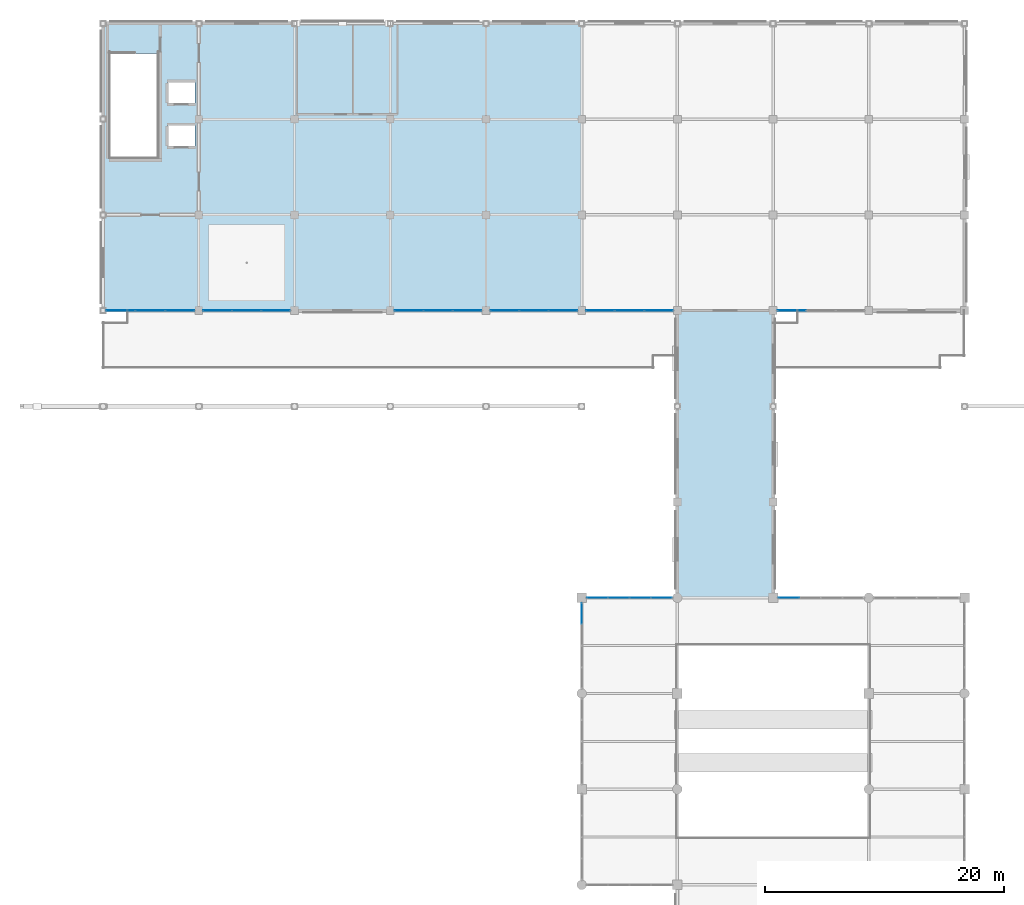
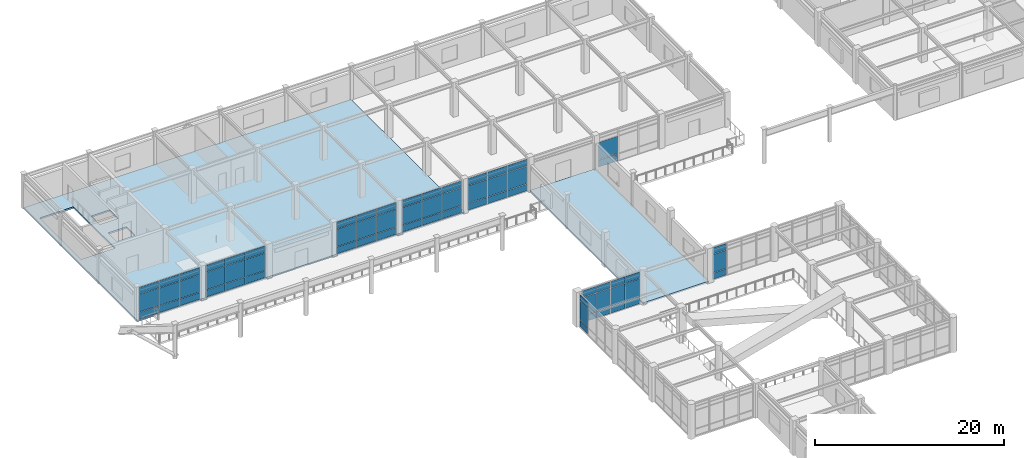
# One storey, part 57 of 78: 65 plates, 2 slabs, 9 elements without a shape of their own.
"""IFC4 building model written with IfcOpenShell, lengths in metres."""

import ifcopenshell
import ifcopenshell.guid

model = None  # the IFC model being written
_history = None  # IfcOwnerHistory: only IFC2X3 demands one
_inside = {}  # id of a spatial element -> (the spatial element, [elements in it])
_under = {}  # id of a project, library or spatial element -> (it, [spatial elements below it])
_declared = {}  # id of a project -> (the project, [libraries it declares])
_typed = {}  # id of a type object -> (the type object, [elements of that type])
_made_of = {}  # id of a material, layer set ... -> (it, [elements and type objects made of it])


def new_model(schema):
    """Start an empty IFC model of exactly this schema.

    Asked for "IFC4X3", IfcOpenShell would pick the latest addendum, in which some entities
    have other attributes; the version numbers below select the first issue.
    IFC2X3 requires an IfcOwnerHistory on every rooted entity: one is made here for all.
    """
    global model, _history
    if schema == "IFC4X3":
        model = ifcopenshell.file(schema_version=(4, 3, 0, 0))
    else:
        model = ifcopenshell.file(schema=schema)
    _inside.clear()
    _under.clear()
    _declared.clear()
    _typed.clear()
    _made_of.clear()
    _history = None
    if model.schema == "IFC2X3":
        org = make("IfcOrganization", Name="unknown")
        user = make(
            "IfcPersonAndOrganization",
            ThePerson=make("IfcPerson", FamilyName="unknown"),
            TheOrganization=org,
        )
        app = make(
            "IfcApplication",
            ApplicationDeveloper=org,
            Version="unknown",
            ApplicationFullName="unknown",
            ApplicationIdentifier="unknown",
        )
        _history = make(
            "IfcOwnerHistory",
            OwningUser=user,
            OwningApplication=app,
            ChangeAction="ADDED",
            CreationDate=0,
        )
    return model


def make(cls, **values):
    """One entity of the class cls with the attributes given. An attribute that is None is left unset."""
    return model.create_entity(
        cls, **{name: value for name, value in values.items() if value is not None}
    )


def rooted(cls, **values):
    """An entity with a GlobalId (a new one), such as an element, a storey or a relation."""
    return make(cls, GlobalId=ifcopenshell.guid.new(), OwnerHistory=_history, **values)


def si_unit(unit_type, name, prefix=None):
    """IfcSIUnit, for example si_unit("LENGTHUNIT", "METRE", prefix="MILLI")."""
    return make("IfcSIUnit", UnitType=unit_type, Prefix=prefix, Name=name)


def assignment(units):
    """IfcUnitAssignment: the units of a project."""
    return None if units is None else make("IfcUnitAssignment", Units=units)


def point(xyz):
    """IfcCartesianPoint."""
    return None if xyz is None else make("IfcCartesianPoint", Coordinates=xyz)


def direction(xyz):
    """IfcDirection."""
    return None if xyz is None else make("IfcDirection", DirectionRatios=xyz)


def frame(location, z_axis=None, x_axis=None):
    """IfcAxis2Placement3D, a coordinate frame: its origin and axes. An axis left out is left unset."""
    return make(
        "IfcAxis2Placement3D",
        Location=point(location),
        Axis=direction(z_axis),
        RefDirection=direction(x_axis),
    )


def frame_2d(location, x_axis=None):
    """IfcAxis2Placement2D, a coordinate frame in the plane: its origin and x axis."""
    return make(
        "IfcAxis2Placement2D", Location=point(location), RefDirection=direction(x_axis)
    )


def origin():
    """The frame at (0, 0, 0) with its axes left unset."""
    return frame((0.0, 0.0, 0.0))


def origin_2d():
    """The frame at (0, 0) in the plane with its x axis left unset."""
    return frame_2d((0.0, 0.0))


def place(relative_to, where):
    """IfcLocalPlacement: puts the frame where relative to a parent placement (None: the world)."""
    return make(
        "IfcLocalPlacement", PlacementRelTo=relative_to, RelativePlacement=where
    )


def context(
    kind, dimensions, precision=None, world=None, true_north=None, identifier=None
):
    """IfcGeometricRepresentationContext, for example the 3D "Model" context."""
    return make(
        "IfcGeometricRepresentationContext",
        ContextIdentifier=identifier,
        ContextType=kind,
        CoordinateSpaceDimension=dimensions,
        Precision=precision,
        WorldCoordinateSystem=world,
        TrueNorth=true_north,
    )


def subcontext(parent, identifier, kind, view, scale=None):
    """IfcGeometricRepresentationSubContext, for example "Body" below "Model"."""
    return make(
        "IfcGeometricRepresentationSubContext",
        ContextIdentifier=identifier,
        ContextType=kind,
        ParentContext=parent,
        TargetScale=scale,
        TargetView=view,
    )


def project(units=None, contexts=None):
    """IfcProject with its units and contexts."""
    return rooted(
        "IfcProject",
        Name="project",
        RepresentationContexts=contexts,
        UnitsInContext=assignment(units),
    )


def spatial(cls, under=None, at=None, **own):
    """A site, building, storey or space (cls), placed at a placement, below another one or the project."""
    s = rooted(cls, ObjectPlacement=at, **own)
    if under is not None:
        _under.setdefault(under.id(), (under, []))[1].append(s)
    return s


def polyline(points):
    """IfcPolyline through the points."""
    return make("IfcPolyline", Points=[point(p) for p in points])


def profile(cls, at=None, kind="AREA", **sizes):
    """A parametric profile (cls). Its sizes go by their IFC names, for example OverallWidth=200.0."""
    return make(cls, ProfileType=kind, Position=at, **sizes)


def rectangle(**sizes):
    """IfcRectangleProfileDef."""
    return profile("IfcRectangleProfileDef", **sizes)


def outline(outer, holes=None, kind="AREA"):
    """IfcArbitraryClosedProfileDef: a profile drawn as a closed curve; with holes, ...WithVoids."""
    if holes is None:
        return make("IfcArbitraryClosedProfileDef", ProfileType=kind, OuterCurve=outer)
    return make(
        "IfcArbitraryProfileDefWithVoids",
        ProfileType=kind,
        OuterCurve=outer,
        InnerCurves=holes,
    )


def extrude(swept, where, along, depth):
    """IfcExtrudedAreaSolid: the profile swept, set in the frame where, extruded along a direction by depth."""
    return make(
        "IfcExtrudedAreaSolid",
        SweptArea=swept,
        Position=where,
        ExtrudedDirection=direction(along),
        Depth=depth,
    )


def shape(context_of_items, identifier, shape_type, items):
    """IfcShapeRepresentation: the items that make up one representation, for example the "Body"."""
    return make(
        "IfcShapeRepresentation",
        ContextOfItems=context_of_items,
        RepresentationIdentifier=identifier,
        RepresentationType=shape_type,
        Items=items,
    )


def material(Name=None, Category=None):
    """IfcMaterial."""
    return make("IfcMaterial", Name=Name, Category=Category)


def layer(
    of_material, thickness, ventilated=None, Name=None, Category=None, Priority=None
):
    """IfcMaterialLayer: one layer of a wall or slab, of a material (None: an air gap)."""
    return make(
        "IfcMaterialLayer",
        Material=of_material,
        LayerThickness=thickness,
        IsVentilated=ventilated,
        Name=Name,
        Category=Category,
        Priority=Priority,
    )


def layer_set(layers, Name=None):
    """IfcMaterialLayerSet."""
    return make("IfcMaterialLayerSet", MaterialLayers=layers, LayerSetName=Name)


def made_of(thing, what):
    """Note that an element or type object is made of a material, layer set ...; save() writes the relation."""
    if what is not None:
        _made_of.setdefault(what.id(), (what, []))[1].append(thing)
    return thing


def type_object(cls, material=None, **own):
    """A type object (cls), such as IfcWallType, which elements share."""
    return made_of(rooted(cls, **own), material)


def element(
    cls,
    number,
    at=None,
    inside=None,
    cuts=None,
    type_object=None,
    material=None,
    context=None,
    identifier="Body",
    shape_type=None,
    held_by="IfcProductDefinitionShape",
    body=None,
    shapes=None,
    **own,
):
    """One element of the class cls, such as IfcWall. Its Tag is "e" and its number.

    at: its placement. inside: the storey or other place that contains it. cuts: it is an
    opening in that element (IfcRelVoidsElement). A single representation is given by context,
    identifier, shape_type and body (its items); several are given by shapes. held_by: the class
    of the entity that holds the representations. save() writes the other relations.
    """
    e = rooted(cls, Tag="e%d" % number, ObjectPlacement=at, **own)
    if body is not None:
        shapes = [shape(context, identifier, shape_type, body)]
    if shapes is not None:
        e.Representation = make(held_by, Representations=shapes)
    if inside is not None:
        _inside.setdefault(inside.id(), (inside, []))[1].append(e)
    if cuts is not None:
        rooted(
            "IfcRelVoidsElement", RelatingBuildingElement=cuts, RelatedOpeningElement=e
        )
    if type_object is not None:
        _typed.setdefault(type_object.id(), (type_object, []))[1].append(e)
    return made_of(e, material)


def aggregate(whole, parts):
    """IfcRelAggregates: a whole, such as a stair, and the parts it consists of."""
    return rooted("IfcRelAggregates", RelatingObject=whole, RelatedObjects=parts)


def save(model, path):
    """Write the relations noted so far, then the file.

    IfcRelAggregates (storeys below a building ...), IfcRelContainedInSpatialStructure (elements
    in a storey), IfcRelDefinesByType, IfcRelAssociatesMaterial and IfcRelDeclares: one each for
    every whole, place, type object, material and project.
    """
    for whole, parts in _under.values():
        aggregate(whole, parts)
    for where, things in _inside.values():
        rooted(
            "IfcRelContainedInSpatialStructure",
            RelatedElements=things,
            RelatingStructure=where,
        )
    for kind, things in _typed.values():
        rooted("IfcRelDefinesByType", RelatedObjects=things, RelatingType=kind)
    for what, things in _made_of.values():
        rooted("IfcRelAssociatesMaterial", RelatedObjects=things, RelatingMaterial=what)
    for by, libraries in _declared.values():
        rooted("IfcRelDeclares", RelatingContext=by, RelatedDefinitions=libraries)
    model.write(path)


model = new_model("IFC4")

# Units and contexts
model_context = context("Model", 3, precision=1e-05, world=origin(), true_north=direction((0.0, 1.0)))
body_context = subcontext(model_context, "Body", "Model", "MODEL_VIEW")
ifc_project = project(units=[si_unit("LENGTHUNIT", "METRE"), si_unit("AREAUNIT", "SQUARE_METRE"), si_unit("VOLUMEUNIT", "CUBIC_METRE"), si_unit("PLANEANGLEUNIT", "RADIAN"), si_unit("MASSUNIT", "GRAM", prefix="KILO")], contexts=[model_context])

# Site, building, storey
site_placement = place(None, origin())
site = spatial("IfcSite", under=ifc_project, at=site_placement, CompositionType="ELEMENT")
building_placement = place(site_placement, origin())
building = spatial("IfcBuilding", under=site, at=building_placement, Name="Solmirada Galleria", CompositionType="ELEMENT")
storey_placement = place(building_placement, frame((0.0, 0.0, 23.89990234375)))
storey = spatial("IfcBuildingStorey", under=building, at=storey_placement, Name="L05", CompositionType="ELEMENT", Elevation=23.89990234375)

# Curtain wall, plates
ifc_material_1 = material(Name="Impact-resistant low-E double glazing", Category="glass")
curtain_wall_type_1 = type_object("IfcCurtainWallType", Name="CW-FZ3-L05-B4-L072", PredefinedType="NOTDEFINED", material=ifc_material_1)
curtain_wall_1_placement = place(storey_placement, origin())
curtain_wall_1 = element("IfcCurtainWall", 1, at=curtain_wall_1_placement, inside=storey, type_object=curtain_wall_type_1, Name="Terrace and arcade storefront CW-L05-166", PredefinedType="NOTDEFINED")
ifc_layer_1 = layer(ifc_material_1, 0.028076171875)
ifc_layer_set_1 = layer_set([ifc_layer_1], Name="Impact-resistant low-E double glazing")
plate_type_1 = type_object("IfcPlateType", Name="CW-PNL-CW33-T28", PredefinedType="CURTAIN_PANEL", material=ifc_layer_set_1)
plate_1_placement = place(storey_placement, frame((80.0, 70.68359375, 0.06005859375), z_axis=(0.0, 0.0, 1.0), x_axis=(0.0, 1.0, 0.0)))
plate_1 = element("IfcPlate", 2, at=plate_1_placement, type_object=plate_type_1, Name="CW33 panel 4.1", PredefinedType="CURTAIN_PANEL", context=body_context, shape_type="SweptSolid", body=[
    extrude(rectangle(XDim=1.708984375, YDim=0.028076171875, at=origin_2d()), origin(), (0.0, 0.0, 1.0), 0.81005859375),
])
plate_2_placement = place(storey_placement, frame((80.0, 70.68359375, 0.929931640625), z_axis=(0.0, 0.0, 1.0), x_axis=(0.0, 1.0, 0.0)))
plate_2 = element("IfcPlate", 3, at=plate_2_placement, type_object=plate_type_1, Name="CW33 panel 4.2", PredefinedType="CURTAIN_PANEL", context=body_context, shape_type="SweptSolid", body=[
    extrude(rectangle(XDim=1.708984375, YDim=0.028076171875, at=origin_2d()), origin(), (0.0, 0.0, 1.0), 2.35009765625),
])
plate_3_placement = place(storey_placement, frame((80.0, 70.68359375, 3.33984375), z_axis=(0.0, 0.0, 1.0), x_axis=(0.0, 1.0, 0.0)))
plate_3 = element("IfcPlate", 4, at=plate_3_placement, type_object=plate_type_1, Name="CW33 panel 4.3", PredefinedType="CURTAIN_PANEL", context=body_context, shape_type="SweptSolid", body=[
    extrude(rectangle(XDim=1.708984375, YDim=0.028076171875, at=origin_2d()), origin(), (0.0, 0.0, 1.0), 0.820068359375),
])
aggregate(curtain_wall_1, [plate_1, plate_2, plate_3])

curtain_wall_2_placement = place(storey_placement, origin())
curtain_wall_2 = element("IfcCurtainWall", 5, at=curtain_wall_2_placement, inside=storey, type_object=curtain_wall_type_1, Name="Terrace and arcade storefront CW-L05-167", PredefinedType="NOTDEFINED")
plate_4_placement = place(storey_placement, frame((81.31640625, 72.0, 0.06005859375), z_axis=(0.0, 0.0, 1.0), x_axis=(1.0, 0.0, 0.0)))
plate_4 = element("IfcPlate", 6, at=plate_4_placement, type_object=plate_type_1, Name="CW33 panel 1.1", PredefinedType="CURTAIN_PANEL", context=body_context, shape_type="SweptSolid", body=[
    extrude(rectangle(XDim=1.708984375, YDim=0.028076171875, at=origin_2d()), origin(), (0.0, 0.0, 1.0), 0.81005859375),
])
plate_5_placement = place(storey_placement, frame((81.31640625, 72.0, 0.929931640625), z_axis=(0.0, 0.0, 1.0), x_axis=(1.0, 0.0, 0.0)))
plate_5 = element("IfcPlate", 7, at=plate_5_placement, type_object=plate_type_1, Name="CW33 panel 1.2", PredefinedType="CURTAIN_PANEL", context=body_context, shape_type="SweptSolid", body=[
    extrude(rectangle(XDim=1.708984375, YDim=0.028076171875, at=origin_2d()), origin(), (0.0, 0.0, 1.0), 2.35009765625),
])
plate_6_placement = place(storey_placement, frame((81.31640625, 72.0, 3.33984375), z_axis=(0.0, 0.0, 1.0), x_axis=(1.0, 0.0, 0.0)))
plate_6 = element("IfcPlate", 8, at=plate_6_placement, type_object=plate_type_1, Name="CW33 panel 1.3", PredefinedType="CURTAIN_PANEL", context=body_context, shape_type="SweptSolid", body=[
    extrude(rectangle(XDim=1.708984375, YDim=0.028076171875, at=origin_2d()), origin(), (0.0, 0.0, 1.0), 0.820068359375),
])
plate_7_placement = place(storey_placement, frame((83.1005859375, 72.0, 0.06005859375), z_axis=(0.0, 0.0, 1.0), x_axis=(1.0, 0.0, 0.0)))
plate_7 = element("IfcPlate", 9, at=plate_7_placement, type_object=plate_type_1, Name="CW33 panel 2.1", PredefinedType="CURTAIN_PANEL", context=body_context, shape_type="SweptSolid", body=[
    extrude(rectangle(XDim=1.739013671875, YDim=0.028076171875, at=origin_2d()), origin(), (0.0, 0.0, 1.0), 0.81005859375),
])
plate_8_placement = place(storey_placement, frame((83.1005859375, 72.0, 0.929931640625), z_axis=(0.0, 0.0, 1.0), x_axis=(1.0, 0.0, 0.0)))
plate_8 = element("IfcPlate", 10, at=plate_8_placement, type_object=plate_type_1, Name="CW33 panel 2.2", PredefinedType="CURTAIN_PANEL", context=body_context, shape_type="SweptSolid", body=[
    extrude(rectangle(XDim=1.739013671875, YDim=0.028076171875, at=origin_2d()), origin(), (0.0, 0.0, 1.0), 2.35009765625),
])
plate_9_placement = place(storey_placement, frame((83.1005859375, 72.0, 3.33984375), z_axis=(0.0, 0.0, 1.0), x_axis=(1.0, 0.0, 0.0)))
plate_9 = element("IfcPlate", 11, at=plate_9_placement, type_object=plate_type_1, Name="CW33 panel 2.3", PredefinedType="CURTAIN_PANEL", context=body_context, shape_type="SweptSolid", body=[
    extrude(rectangle(XDim=1.739013671875, YDim=0.028076171875, at=origin_2d()), origin(), (0.0, 0.0, 1.0), 0.820068359375),
])
plate_10_placement = place(storey_placement, frame((84.8994140625, 72.0, 0.06005859375), z_axis=(0.0, 0.0, 1.0), x_axis=(1.0, 0.0, 0.0)))
plate_10 = element("IfcPlate", 12, at=plate_10_placement, type_object=plate_type_1, Name="CW33 panel 3.1", PredefinedType="CURTAIN_PANEL", context=body_context, shape_type="SweptSolid", body=[
    extrude(rectangle(XDim=1.739013671875, YDim=0.028076171875, at=origin_2d()), origin(), (0.0, 0.0, 1.0), 0.81005859375),
])
plate_11_placement = place(storey_placement, frame((84.8994140625, 72.0, 0.929931640625), z_axis=(0.0, 0.0, 1.0), x_axis=(1.0, 0.0, 0.0)))
plate_11 = element("IfcPlate", 13, at=plate_11_placement, type_object=plate_type_1, Name="CW33 panel 3.2", PredefinedType="CURTAIN_PANEL", context=body_context, shape_type="SweptSolid", body=[
    extrude(rectangle(XDim=1.739013671875, YDim=0.028076171875, at=origin_2d()), origin(), (0.0, 0.0, 1.0), 2.35009765625),
])
plate_12_placement = place(storey_placement, frame((84.8994140625, 72.0, 3.33984375), z_axis=(0.0, 0.0, 1.0), x_axis=(1.0, 0.0, 0.0)))
plate_12 = element("IfcPlate", 14, at=plate_12_placement, type_object=plate_type_1, Name="CW33 panel 3.3", PredefinedType="CURTAIN_PANEL", context=body_context, shape_type="SweptSolid", body=[
    extrude(rectangle(XDim=1.739013671875, YDim=0.028076171875, at=origin_2d()), origin(), (0.0, 0.0, 1.0), 0.820068359375),
])
plate_13_placement = place(storey_placement, frame((86.68359375, 72.0, 0.06005859375), z_axis=(0.0, 0.0, 1.0), x_axis=(1.0, 0.0, 0.0)))
plate_13 = element("IfcPlate", 15, at=plate_13_placement, type_object=plate_type_1, Name="CW33 panel 4.1", PredefinedType="CURTAIN_PANEL", context=body_context, shape_type="SweptSolid", body=[
    extrude(rectangle(XDim=1.708984375, YDim=0.028076171875, at=origin_2d()), origin(), (0.0, 0.0, 1.0), 0.81005859375),
])
plate_14_placement = place(storey_placement, frame((86.68359375, 72.0, 0.929931640625), z_axis=(0.0, 0.0, 1.0), x_axis=(1.0, 0.0, 0.0)))
plate_14 = element("IfcPlate", 16, at=plate_14_placement, type_object=plate_type_1, Name="CW33 panel 4.2", PredefinedType="CURTAIN_PANEL", context=body_context, shape_type="SweptSolid", body=[
    extrude(rectangle(XDim=1.708984375, YDim=0.028076171875, at=origin_2d()), origin(), (0.0, 0.0, 1.0), 2.35009765625),
])
plate_15_placement = place(storey_placement, frame((86.68359375, 72.0, 3.33984375), z_axis=(0.0, 0.0, 1.0), x_axis=(1.0, 0.0, 0.0)))
plate_15 = element("IfcPlate", 17, at=plate_15_placement, type_object=plate_type_1, Name="CW33 panel 4.3", PredefinedType="CURTAIN_PANEL", context=body_context, shape_type="SweptSolid", body=[
    extrude(rectangle(XDim=1.708984375, YDim=0.028076171875, at=origin_2d()), origin(), (0.0, 0.0, 1.0), 0.820068359375),
])
aggregate(curtain_wall_2, [plate_4, plate_5, plate_6, plate_7, plate_8, plate_9, plate_10, plate_11, plate_12, plate_13, plate_14, plate_15])

curtain_wall_3_placement = place(storey_placement, origin())
curtain_wall_3 = element("IfcCurtainWall", 18, at=curtain_wall_3_placement, inside=storey, type_object=curtain_wall_type_1, Name="Terrace and arcade storefront CW-L05-174", PredefinedType="NOTDEFINED")
plate_16_placement = place(storey_placement, frame((97.31640625, 72.0, 0.06005859375), z_axis=(0.0, 0.0, 1.0), x_axis=(1.0, 0.0, 0.0)))
plate_16 = element("IfcPlate", 19, at=plate_16_placement, type_object=plate_type_1, Name="CW33 panel 1.1", PredefinedType="CURTAIN_PANEL", context=body_context, shape_type="SweptSolid", body=[
    extrude(rectangle(XDim=1.708984375, YDim=0.028076171875, at=origin_2d()), origin(), (0.0, 0.0, 1.0), 0.81005859375),
])
plate_17_placement = place(storey_placement, frame((97.31640625, 72.0, 0.929931640625), z_axis=(0.0, 0.0, 1.0), x_axis=(1.0, 0.0, 0.0)))
plate_17 = element("IfcPlate", 20, at=plate_17_placement, type_object=plate_type_1, Name="CW33 panel 1.2", PredefinedType="CURTAIN_PANEL", context=body_context, shape_type="SweptSolid", body=[
    extrude(rectangle(XDim=1.708984375, YDim=0.028076171875, at=origin_2d()), origin(), (0.0, 0.0, 1.0), 2.35009765625),
])
plate_18_placement = place(storey_placement, frame((97.31640625, 72.0, 3.33984375), z_axis=(0.0, 0.0, 1.0), x_axis=(1.0, 0.0, 0.0)))
plate_18 = element("IfcPlate", 21, at=plate_18_placement, type_object=plate_type_1, Name="CW33 panel 1.3", PredefinedType="CURTAIN_PANEL", context=body_context, shape_type="SweptSolid", body=[
    extrude(rectangle(XDim=1.708984375, YDim=0.028076171875, at=origin_2d()), origin(), (0.0, 0.0, 1.0), 0.820068359375),
])
aggregate(curtain_wall_3, [plate_16, plate_17, plate_18])

curtain_wall_type_2 = type_object("IfcCurtainWallType", Name="CW-FZ4-L05-B3-L074", PredefinedType="NOTDEFINED", material=ifc_material_1)
curtain_wall_4_placement = place(storey_placement, origin())
curtain_wall_4 = element("IfcCurtainWall", 22, at=curtain_wall_4_placement, inside=storey, type_object=curtain_wall_type_2, Name="Terrace and arcade storefront CW-L05-168", PredefinedType="NOTDEFINED")
ifc_layer_2 = layer(ifc_material_1, 0.028076171875)
ifc_layer_set_2 = layer_set([ifc_layer_2], Name="Impact-resistant low-E double glazing")
plate_type_2 = type_object("IfcPlateType", Name="CW-PNL-CW34-T28", PredefinedType="CURTAIN_PANEL", material=ifc_layer_set_2)
plate_19_placement = place(storey_placement, frame((86.43359375, 96.0, 0.06005859375), z_axis=(0.0, 0.0, 1.0), x_axis=(-1.0, 0.0, 0.0)))
plate_19 = element("IfcPlate", 23, at=plate_19_placement, type_object=plate_type_2, Name="CW34 panel 1.1", PredefinedType="CURTAIN_PANEL", context=body_context, shape_type="SweptSolid", body=[
    extrude(rectangle(XDim=2.358642578125, YDim=0.028076171875, at=origin_2d()), origin(), (0.0, 0.0, 1.0), 0.8701171875),
])
plate_20_placement = place(storey_placement, frame((86.43359375, 96.0, 0.990234375), z_axis=(0.0, 0.0, 1.0), x_axis=(-1.0, 0.0, 0.0)))
plate_20 = element("IfcPlate", 24, at=plate_20_placement, type_object=plate_type_2, Name="CW34 panel 1.2", PredefinedType="CURTAIN_PANEL", context=body_context, shape_type="SweptSolid", body=[
    extrude(rectangle(XDim=2.358642578125, YDim=0.028076171875, at=origin_2d()), origin(), (0.0, 0.0, 1.0), 2.239990234375),
])
plate_21_placement = place(storey_placement, frame((86.43359375, 96.0, 3.2900390625), z_axis=(0.0, 0.0, 1.0), x_axis=(-1.0, 0.0, 0.0)))
plate_21 = element("IfcPlate", 25, at=plate_21_placement, type_object=plate_type_2, Name="CW34 panel 1.3", PredefinedType="CURTAIN_PANEL", context=body_context, shape_type="SweptSolid", body=[
    extrude(rectangle(XDim=2.358642578125, YDim=0.028076171875, at=origin_2d()), origin(), (0.0, 0.0, 1.0), 0.8701171875),
])
plate_22_placement = place(storey_placement, frame((84.0, 96.0, 0.06005859375), z_axis=(0.0, 0.0, 1.0), x_axis=(-1.0, 0.0, 0.0)))
plate_22 = element("IfcPlate", 26, at=plate_22_placement, type_object=plate_type_2, Name="CW34 panel 2.1", PredefinedType="CURTAIN_PANEL", context=body_context, shape_type="SweptSolid", body=[
    extrude(rectangle(XDim=2.388671875, YDim=0.028076171875, at=origin_2d()), origin(), (0.0, 0.0, 1.0), 0.8701171875),
])
plate_23_placement = place(storey_placement, frame((84.0, 96.0, 0.990234375), z_axis=(0.0, 0.0, 1.0), x_axis=(-1.0, 0.0, 0.0)))
plate_23 = element("IfcPlate", 27, at=plate_23_placement, type_object=plate_type_2, Name="CW34 panel 2.2", PredefinedType="CURTAIN_PANEL", context=body_context, shape_type="SweptSolid", body=[
    extrude(rectangle(XDim=2.388671875, YDim=0.028076171875, at=origin_2d()), origin(), (0.0, 0.0, 1.0), 2.239990234375),
])
plate_24_placement = place(storey_placement, frame((84.0, 96.0, 3.2900390625), z_axis=(0.0, 0.0, 1.0), x_axis=(-1.0, 0.0, 0.0)))
plate_24 = element("IfcPlate", 28, at=plate_24_placement, type_object=plate_type_2, Name="CW34 panel 2.3", PredefinedType="CURTAIN_PANEL", context=body_context, shape_type="SweptSolid", body=[
    extrude(rectangle(XDim=2.388671875, YDim=0.028076171875, at=origin_2d()), origin(), (0.0, 0.0, 1.0), 0.8701171875),
])
plate_25_placement = place(storey_placement, frame((81.56640625, 96.0, 0.06005859375), z_axis=(0.0, 0.0, 1.0), x_axis=(-1.0, 0.0, 0.0)))
plate_25 = element("IfcPlate", 29, at=plate_25_placement, type_object=plate_type_2, Name="CW34 panel 3.1", PredefinedType="CURTAIN_PANEL", context=body_context, shape_type="SweptSolid", body=[
    extrude(rectangle(XDim=2.358642578125, YDim=0.028076171875, at=origin_2d()), origin(), (0.0, 0.0, 1.0), 0.8701171875),
])
plate_26_placement = place(storey_placement, frame((81.56640625, 96.0, 0.990234375), z_axis=(0.0, 0.0, 1.0), x_axis=(-1.0, 0.0, 0.0)))
plate_26 = element("IfcPlate", 30, at=plate_26_placement, type_object=plate_type_2, Name="CW34 panel 3.2", PredefinedType="CURTAIN_PANEL", context=body_context, shape_type="SweptSolid", body=[
    extrude(rectangle(XDim=2.358642578125, YDim=0.028076171875, at=origin_2d()), origin(), (0.0, 0.0, 1.0), 2.239990234375),
])
plate_27_placement = place(storey_placement, frame((81.56640625, 96.0, 3.2900390625), z_axis=(0.0, 0.0, 1.0), x_axis=(-1.0, 0.0, 0.0)))
plate_27 = element("IfcPlate", 31, at=plate_27_placement, type_object=plate_type_2, Name="CW34 panel 3.3", PredefinedType="CURTAIN_PANEL", context=body_context, shape_type="SweptSolid", body=[
    extrude(rectangle(XDim=2.358642578125, YDim=0.028076171875, at=origin_2d()), origin(), (0.0, 0.0, 1.0), 0.8701171875),
])
aggregate(curtain_wall_4, [plate_19, plate_20, plate_21, plate_22, plate_23, plate_24, plate_25, plate_26, plate_27])

curtain_wall_5_placement = place(storey_placement, origin())
curtain_wall_5 = element("IfcCurtainWall", 32, at=curtain_wall_5_placement, inside=storey, type_object=curtain_wall_type_2, Name="Terrace and arcade storefront CW-L05-169", PredefinedType="NOTDEFINED")
plate_28_placement = place(storey_placement, frame((78.43359375, 96.0, 0.06005859375), z_axis=(0.0, 0.0, 1.0), x_axis=(-1.0, 0.0, 0.0)))
plate_28 = element("IfcPlate", 33, at=plate_28_placement, type_object=plate_type_2, Name="CW34 panel 1.1", PredefinedType="CURTAIN_PANEL", context=body_context, shape_type="SweptSolid", body=[
    extrude(rectangle(XDim=2.358642578125, YDim=0.028076171875, at=origin_2d()), origin(), (0.0, 0.0, 1.0), 0.8701171875),
])
plate_29_placement = place(storey_placement, frame((78.43359375, 96.0, 0.990234375), z_axis=(0.0, 0.0, 1.0), x_axis=(-1.0, 0.0, 0.0)))
plate_29 = element("IfcPlate", 34, at=plate_29_placement, type_object=plate_type_2, Name="CW34 panel 1.2", PredefinedType="CURTAIN_PANEL", context=body_context, shape_type="SweptSolid", body=[
    extrude(rectangle(XDim=2.358642578125, YDim=0.028076171875, at=origin_2d()), origin(), (0.0, 0.0, 1.0), 2.239990234375),
])
plate_30_placement = place(storey_placement, frame((78.43359375, 96.0, 3.2900390625), z_axis=(0.0, 0.0, 1.0), x_axis=(-1.0, 0.0, 0.0)))
plate_30 = element("IfcPlate", 35, at=plate_30_placement, type_object=plate_type_2, Name="CW34 panel 1.3", PredefinedType="CURTAIN_PANEL", context=body_context, shape_type="SweptSolid", body=[
    extrude(rectangle(XDim=2.358642578125, YDim=0.028076171875, at=origin_2d()), origin(), (0.0, 0.0, 1.0), 0.8701171875),
])
plate_31_placement = place(storey_placement, frame((76.0, 96.0, 0.06005859375), z_axis=(0.0, 0.0, 1.0), x_axis=(-1.0, 0.0, 0.0)))
plate_31 = element("IfcPlate", 36, at=plate_31_placement, type_object=plate_type_2, Name="CW34 panel 2.1", PredefinedType="CURTAIN_PANEL", context=body_context, shape_type="SweptSolid", body=[
    extrude(rectangle(XDim=2.388671875, YDim=0.028076171875, at=origin_2d()), origin(), (0.0, 0.0, 1.0), 0.8701171875),
])
plate_32_placement = place(storey_placement, frame((76.0, 96.0, 0.990234375), z_axis=(0.0, 0.0, 1.0), x_axis=(-1.0, 0.0, 0.0)))
plate_32 = element("IfcPlate", 37, at=plate_32_placement, type_object=plate_type_2, Name="CW34 panel 2.2", PredefinedType="CURTAIN_PANEL", context=body_context, shape_type="SweptSolid", body=[
    extrude(rectangle(XDim=2.388671875, YDim=0.028076171875, at=origin_2d()), origin(), (0.0, 0.0, 1.0), 2.239990234375),
])
plate_33_placement = place(storey_placement, frame((76.0, 96.0, 3.2900390625), z_axis=(0.0, 0.0, 1.0), x_axis=(-1.0, 0.0, 0.0)))
plate_33 = element("IfcPlate", 38, at=plate_33_placement, type_object=plate_type_2, Name="CW34 panel 2.3", PredefinedType="CURTAIN_PANEL", context=body_context, shape_type="SweptSolid", body=[
    extrude(rectangle(XDim=2.388671875, YDim=0.028076171875, at=origin_2d()), origin(), (0.0, 0.0, 1.0), 0.8701171875),
])
plate_34_placement = place(storey_placement, frame((73.56640625, 96.0, 0.06005859375), z_axis=(0.0, 0.0, 1.0), x_axis=(-1.0, 0.0, 0.0)))
plate_34 = element("IfcPlate", 39, at=plate_34_placement, type_object=plate_type_2, Name="CW34 panel 3.1", PredefinedType="CURTAIN_PANEL", context=body_context, shape_type="SweptSolid", body=[
    extrude(rectangle(XDim=2.358642578125, YDim=0.028076171875, at=origin_2d()), origin(), (0.0, 0.0, 1.0), 0.8701171875),
])
plate_35_placement = place(storey_placement, frame((73.56640625, 96.0, 0.990234375), z_axis=(0.0, 0.0, 1.0), x_axis=(-1.0, 0.0, 0.0)))
plate_35 = element("IfcPlate", 40, at=plate_35_placement, type_object=plate_type_2, Name="CW34 panel 3.2", PredefinedType="CURTAIN_PANEL", context=body_context, shape_type="SweptSolid", body=[
    extrude(rectangle(XDim=2.358642578125, YDim=0.028076171875, at=origin_2d()), origin(), (0.0, 0.0, 1.0), 2.239990234375),
])
plate_36_placement = place(storey_placement, frame((73.56640625, 96.0, 3.2900390625), z_axis=(0.0, 0.0, 1.0), x_axis=(-1.0, 0.0, 0.0)))
plate_36 = element("IfcPlate", 41, at=plate_36_placement, type_object=plate_type_2, Name="CW34 panel 3.3", PredefinedType="CURTAIN_PANEL", context=body_context, shape_type="SweptSolid", body=[
    extrude(rectangle(XDim=2.358642578125, YDim=0.028076171875, at=origin_2d()), origin(), (0.0, 0.0, 1.0), 0.8701171875),
])
aggregate(curtain_wall_5, [plate_28, plate_29, plate_30, plate_31, plate_32, plate_33, plate_34, plate_35, plate_36])

curtain_wall_6_placement = place(storey_placement, origin())
curtain_wall_6 = element("IfcCurtainWall", 42, at=curtain_wall_6_placement, inside=storey, type_object=curtain_wall_type_2, Name="Terrace and arcade storefront CW-L05-170", PredefinedType="NOTDEFINED")
plate_37_placement = place(storey_placement, frame((70.43359375, 96.0, 0.06005859375), z_axis=(0.0, 0.0, 1.0), x_axis=(-1.0, 0.0, 0.0)))
plate_37 = element("IfcPlate", 43, at=plate_37_placement, type_object=plate_type_2, Name="CW34 panel 1.1", PredefinedType="CURTAIN_PANEL", context=body_context, shape_type="SweptSolid", body=[
    extrude(rectangle(XDim=2.358642578125, YDim=0.028076171875, at=origin_2d()), origin(), (0.0, 0.0, 1.0), 0.8701171875),
])
plate_38_placement = place(storey_placement, frame((70.43359375, 96.0, 0.990234375), z_axis=(0.0, 0.0, 1.0), x_axis=(-1.0, 0.0, 0.0)))
plate_38 = element("IfcPlate", 44, at=plate_38_placement, type_object=plate_type_2, Name="CW34 panel 1.2", PredefinedType="CURTAIN_PANEL", context=body_context, shape_type="SweptSolid", body=[
    extrude(rectangle(XDim=2.358642578125, YDim=0.028076171875, at=origin_2d()), origin(), (0.0, 0.0, 1.0), 2.239990234375),
])
plate_39_placement = place(storey_placement, frame((70.43359375, 96.0, 3.2900390625), z_axis=(0.0, 0.0, 1.0), x_axis=(-1.0, 0.0, 0.0)))
plate_39 = element("IfcPlate", 45, at=plate_39_placement, type_object=plate_type_2, Name="CW34 panel 1.3", PredefinedType="CURTAIN_PANEL", context=body_context, shape_type="SweptSolid", body=[
    extrude(rectangle(XDim=2.358642578125, YDim=0.028076171875, at=origin_2d()), origin(), (0.0, 0.0, 1.0), 0.8701171875),
])
plate_40_placement = place(storey_placement, frame((68.0, 96.0, 0.06005859375), z_axis=(0.0, 0.0, 1.0), x_axis=(-1.0, 0.0, 0.0)))
plate_40 = element("IfcPlate", 46, at=plate_40_placement, type_object=plate_type_2, Name="CW34 panel 2.1", PredefinedType="CURTAIN_PANEL", context=body_context, shape_type="SweptSolid", body=[
    extrude(rectangle(XDim=2.388671875, YDim=0.028076171875, at=origin_2d()), origin(), (0.0, 0.0, 1.0), 0.8701171875),
])
plate_41_placement = place(storey_placement, frame((68.0, 96.0, 0.990234375), z_axis=(0.0, 0.0, 1.0), x_axis=(-1.0, 0.0, 0.0)))
plate_41 = element("IfcPlate", 47, at=plate_41_placement, type_object=plate_type_2, Name="CW34 panel 2.2", PredefinedType="CURTAIN_PANEL", context=body_context, shape_type="SweptSolid", body=[
    extrude(rectangle(XDim=2.388671875, YDim=0.028076171875, at=origin_2d()), origin(), (0.0, 0.0, 1.0), 2.239990234375),
])
plate_42_placement = place(storey_placement, frame((68.0, 96.0, 3.2900390625), z_axis=(0.0, 0.0, 1.0), x_axis=(-1.0, 0.0, 0.0)))
plate_42 = element("IfcPlate", 48, at=plate_42_placement, type_object=plate_type_2, Name="CW34 panel 2.3", PredefinedType="CURTAIN_PANEL", context=body_context, shape_type="SweptSolid", body=[
    extrude(rectangle(XDim=2.388671875, YDim=0.028076171875, at=origin_2d()), origin(), (0.0, 0.0, 1.0), 0.8701171875),
])
plate_43_placement = place(storey_placement, frame((65.56640625, 96.0, 0.06005859375), z_axis=(0.0, 0.0, 1.0), x_axis=(-1.0, 0.0, 0.0)))
plate_43 = element("IfcPlate", 49, at=plate_43_placement, type_object=plate_type_2, Name="CW34 panel 3.1", PredefinedType="CURTAIN_PANEL", context=body_context, shape_type="SweptSolid", body=[
    extrude(rectangle(XDim=2.358642578125, YDim=0.028076171875, at=origin_2d()), origin(), (0.0, 0.0, 1.0), 0.8701171875),
])
plate_44_placement = place(storey_placement, frame((65.56640625, 96.0, 0.990234375), z_axis=(0.0, 0.0, 1.0), x_axis=(-1.0, 0.0, 0.0)))
plate_44 = element("IfcPlate", 50, at=plate_44_placement, type_object=plate_type_2, Name="CW34 panel 3.2", PredefinedType="CURTAIN_PANEL", context=body_context, shape_type="SweptSolid", body=[
    extrude(rectangle(XDim=2.358642578125, YDim=0.028076171875, at=origin_2d()), origin(), (0.0, 0.0, 1.0), 2.239990234375),
])
plate_45_placement = place(storey_placement, frame((65.56640625, 96.0, 3.2900390625), z_axis=(0.0, 0.0, 1.0), x_axis=(-1.0, 0.0, 0.0)))
plate_45 = element("IfcPlate", 51, at=plate_45_placement, type_object=plate_type_2, Name="CW34 panel 3.3", PredefinedType="CURTAIN_PANEL", context=body_context, shape_type="SweptSolid", body=[
    extrude(rectangle(XDim=2.358642578125, YDim=0.028076171875, at=origin_2d()), origin(), (0.0, 0.0, 1.0), 0.8701171875),
])
aggregate(curtain_wall_6, [plate_37, plate_38, plate_39, plate_40, plate_41, plate_42, plate_43, plate_44, plate_45])

curtain_wall_7_placement = place(storey_placement, origin())
curtain_wall_7 = element("IfcCurtainWall", 52, at=curtain_wall_7_placement, inside=storey, type_object=curtain_wall_type_2, Name="Terrace and arcade storefront CW-L05-171", PredefinedType="NOTDEFINED")
plate_46_placement = place(storey_placement, frame((54.43359375, 96.0, 0.06005859375), z_axis=(0.0, 0.0, 1.0), x_axis=(-1.0, 0.0, 0.0)))
plate_46 = element("IfcPlate", 53, at=plate_46_placement, type_object=plate_type_2, Name="CW34 panel 1.1", PredefinedType="CURTAIN_PANEL", context=body_context, shape_type="SweptSolid", body=[
    extrude(rectangle(XDim=2.358642578125, YDim=0.028076171875, at=origin_2d()), origin(), (0.0, 0.0, 1.0), 0.8701171875),
])
plate_47_placement = place(storey_placement, frame((54.43359375, 96.0, 0.990234375), z_axis=(0.0, 0.0, 1.0), x_axis=(-1.0, 0.0, 0.0)))
plate_47 = element("IfcPlate", 54, at=plate_47_placement, type_object=plate_type_2, Name="CW34 panel 1.2", PredefinedType="CURTAIN_PANEL", context=body_context, shape_type="SweptSolid", body=[
    extrude(rectangle(XDim=2.358642578125, YDim=0.028076171875, at=origin_2d()), origin(), (0.0, 0.0, 1.0), 2.239990234375),
])
plate_48_placement = place(storey_placement, frame((54.43359375, 96.0, 3.2900390625), z_axis=(0.0, 0.0, 1.0), x_axis=(-1.0, 0.0, 0.0)))
plate_48 = element("IfcPlate", 55, at=plate_48_placement, type_object=plate_type_2, Name="CW34 panel 1.3", PredefinedType="CURTAIN_PANEL", context=body_context, shape_type="SweptSolid", body=[
    extrude(rectangle(XDim=2.358642578125, YDim=0.028076171875, at=origin_2d()), origin(), (0.0, 0.0, 1.0), 0.8701171875),
])
plate_49_placement = place(storey_placement, frame((52.0, 96.0, 0.06005859375), z_axis=(0.0, 0.0, 1.0), x_axis=(-1.0, 0.0, 0.0)))
plate_49 = element("IfcPlate", 56, at=plate_49_placement, type_object=plate_type_2, Name="CW34 panel 2.1", PredefinedType="CURTAIN_PANEL", context=body_context, shape_type="SweptSolid", body=[
    extrude(rectangle(XDim=2.388671875, YDim=0.028076171875, at=origin_2d()), origin(), (0.0, 0.0, 1.0), 0.8701171875),
])
plate_50_placement = place(storey_placement, frame((52.0, 96.0, 0.990234375), z_axis=(0.0, 0.0, 1.0), x_axis=(-1.0, 0.0, 0.0)))
plate_50 = element("IfcPlate", 57, at=plate_50_placement, type_object=plate_type_2, Name="CW34 panel 2.2", PredefinedType="CURTAIN_PANEL", context=body_context, shape_type="SweptSolid", body=[
    extrude(rectangle(XDim=2.388671875, YDim=0.028076171875, at=origin_2d()), origin(), (0.0, 0.0, 1.0), 2.239990234375),
])
plate_51_placement = place(storey_placement, frame((52.0, 96.0, 3.2900390625), z_axis=(0.0, 0.0, 1.0), x_axis=(-1.0, 0.0, 0.0)))
plate_51 = element("IfcPlate", 58, at=plate_51_placement, type_object=plate_type_2, Name="CW34 panel 2.3", PredefinedType="CURTAIN_PANEL", context=body_context, shape_type="SweptSolid", body=[
    extrude(rectangle(XDim=2.388671875, YDim=0.028076171875, at=origin_2d()), origin(), (0.0, 0.0, 1.0), 0.8701171875),
])
plate_52_placement = place(storey_placement, frame((49.56640625, 96.0, 0.06005859375), z_axis=(0.0, 0.0, 1.0), x_axis=(-1.0, 0.0, 0.0)))
plate_52 = element("IfcPlate", 59, at=plate_52_placement, type_object=plate_type_2, Name="CW34 panel 3.1", PredefinedType="CURTAIN_PANEL", context=body_context, shape_type="SweptSolid", body=[
    extrude(rectangle(XDim=2.358642578125, YDim=0.028076171875, at=origin_2d()), origin(), (0.0, 0.0, 1.0), 0.8701171875),
])
plate_53_placement = place(storey_placement, frame((49.56640625, 96.0, 0.990234375), z_axis=(0.0, 0.0, 1.0), x_axis=(-1.0, 0.0, 0.0)))
plate_53 = element("IfcPlate", 60, at=plate_53_placement, type_object=plate_type_2, Name="CW34 panel 3.2", PredefinedType="CURTAIN_PANEL", context=body_context, shape_type="SweptSolid", body=[
    extrude(rectangle(XDim=2.358642578125, YDim=0.028076171875, at=origin_2d()), origin(), (0.0, 0.0, 1.0), 2.239990234375),
])
plate_54_placement = place(storey_placement, frame((49.56640625, 96.0, 3.2900390625), z_axis=(0.0, 0.0, 1.0), x_axis=(-1.0, 0.0, 0.0)))
plate_54 = element("IfcPlate", 61, at=plate_54_placement, type_object=plate_type_2, Name="CW34 panel 3.3", PredefinedType="CURTAIN_PANEL", context=body_context, shape_type="SweptSolid", body=[
    extrude(rectangle(XDim=2.358642578125, YDim=0.028076171875, at=origin_2d()), origin(), (0.0, 0.0, 1.0), 0.8701171875),
])
aggregate(curtain_wall_7, [plate_46, plate_47, plate_48, plate_49, plate_50, plate_51, plate_52, plate_53, plate_54])

curtain_wall_8_placement = place(storey_placement, origin())
curtain_wall_8 = element("IfcCurtainWall", 62, at=curtain_wall_8_placement, inside=storey, type_object=curtain_wall_type_2, Name="Terrace and arcade storefront CW-L05-173", PredefinedType="NOTDEFINED")
plate_55_placement = place(storey_placement, frame((97.56640625, 96.0, 0.06005859375), z_axis=(0.0, 0.0, 1.0), x_axis=(-1.0, 0.0, 0.0)))
plate_55 = element("IfcPlate", 63, at=plate_55_placement, type_object=plate_type_2, Name="CW34 panel 3.1", PredefinedType="CURTAIN_PANEL", context=body_context, shape_type="SweptSolid", body=[
    extrude(rectangle(XDim=2.358642578125, YDim=0.028076171875, at=origin_2d()), origin(), (0.0, 0.0, 1.0), 0.8701171875),
])
plate_56_placement = place(storey_placement, frame((97.56640625, 96.0, 0.990234375), z_axis=(0.0, 0.0, 1.0), x_axis=(-1.0, 0.0, 0.0)))
plate_56 = element("IfcPlate", 64, at=plate_56_placement, type_object=plate_type_2, Name="CW34 panel 3.2", PredefinedType="CURTAIN_PANEL", context=body_context, shape_type="SweptSolid", body=[
    extrude(rectangle(XDim=2.358642578125, YDim=0.028076171875, at=origin_2d()), origin(), (0.0, 0.0, 1.0), 2.239990234375),
])
aggregate(curtain_wall_8, [plate_55, plate_56])

curtain_wall_type_3 = type_object("IfcCurtainWallType", Name="CW-FZ4-L05-B3-L075", PredefinedType="NOTDEFINED", material=ifc_material_1)
curtain_wall_9_placement = place(storey_placement, origin())
curtain_wall_9 = element("IfcCurtainWall", 65, at=curtain_wall_9_placement, inside=storey, type_object=curtain_wall_type_3, Name="Terrace and arcade storefront CW-L05-172", PredefinedType="NOTDEFINED")
ifc_layer_3 = layer(ifc_material_1, 0.031982421875)
ifc_layer_set_3 = layer_set([ifc_layer_3], Name="Impact-resistant low-E double glazing")
plate_type_3 = type_object("IfcPlateType", Name="CW-PNL-CW35-T32", PredefinedType="CURTAIN_PANEL", material=ifc_layer_set_3)
plate_57_placement = place(storey_placement, frame((46.413330078125, 96.0, 0.06005859375), z_axis=(0.0, 0.0, 1.0), x_axis=(-1.0, 0.0, 0.0)))
plate_57 = element("IfcPlate", 66, at=plate_57_placement, type_object=plate_type_3, Name="CW35 panel 1.1", PredefinedType="CURTAIN_PANEL", context=body_context, shape_type="SweptSolid", body=[
    extrude(rectangle(XDim=2.3994140625, YDim=0.031982421875, at=origin_2d()), origin(), (0.0, 0.0, 1.0), 0.8701171875),
])
plate_58_placement = place(storey_placement, frame((46.413330078125, 96.0, 0.990234375), z_axis=(0.0, 0.0, 1.0), x_axis=(-1.0, 0.0, 0.0)))
plate_58 = element("IfcPlate", 67, at=plate_58_placement, type_object=plate_type_3, Name="CW35 panel 1.2", PredefinedType="CURTAIN_PANEL", context=body_context, shape_type="SweptSolid", body=[
    extrude(rectangle(XDim=2.3994140625, YDim=0.031982421875, at=origin_2d()), origin(), (0.0, 0.0, 1.0), 2.239990234375),
])
plate_59_placement = place(storey_placement, frame((46.413330078125, 96.0, 3.2900390625), z_axis=(0.0, 0.0, 1.0), x_axis=(-1.0, 0.0, 0.0)))
plate_59 = element("IfcPlate", 68, at=plate_59_placement, type_object=plate_type_3, Name="CW35 panel 1.3", PredefinedType="CURTAIN_PANEL", context=body_context, shape_type="SweptSolid", body=[
    extrude(rectangle(XDim=2.3994140625, YDim=0.031982421875, at=origin_2d()), origin(), (0.0, 0.0, 1.0), 0.8701171875),
])
plate_60_placement = place(storey_placement, frame((43.93896484375, 96.0, 0.06005859375), z_axis=(0.0, 0.0, 1.0), x_axis=(-1.0, 0.0, 0.0)))
plate_60 = element("IfcPlate", 69, at=plate_60_placement, type_object=plate_type_3, Name="CW35 panel 2.1", PredefinedType="CURTAIN_PANEL", context=body_context, shape_type="SweptSolid", body=[
    extrude(rectangle(XDim=2.429443359375, YDim=0.031982421875, at=origin_2d()), origin(), (0.0, 0.0, 1.0), 0.8701171875),
])
plate_61_placement = place(storey_placement, frame((43.93896484375, 96.0, 0.990234375), z_axis=(0.0, 0.0, 1.0), x_axis=(-1.0, 0.0, 0.0)))
plate_61 = element("IfcPlate", 70, at=plate_61_placement, type_object=plate_type_3, Name="CW35 panel 2.2", PredefinedType="CURTAIN_PANEL", context=body_context, shape_type="SweptSolid", body=[
    extrude(rectangle(XDim=2.429443359375, YDim=0.031982421875, at=origin_2d()), origin(), (0.0, 0.0, 1.0), 2.239990234375),
])
plate_62_placement = place(storey_placement, frame((43.93896484375, 96.0, 3.2900390625), z_axis=(0.0, 0.0, 1.0), x_axis=(-1.0, 0.0, 0.0)))
plate_62 = element("IfcPlate", 71, at=plate_62_placement, type_object=plate_type_3, Name="CW35 panel 2.3", PredefinedType="CURTAIN_PANEL", context=body_context, shape_type="SweptSolid", body=[
    extrude(rectangle(XDim=2.429443359375, YDim=0.031982421875, at=origin_2d()), origin(), (0.0, 0.0, 1.0), 0.8701171875),
])
plate_63_placement = place(storey_placement, frame((41.464599609375, 96.0, 0.06005859375), z_axis=(0.0, 0.0, 1.0), x_axis=(-1.0, 0.0, 0.0)))
plate_63 = element("IfcPlate", 72, at=plate_63_placement, type_object=plate_type_3, Name="CW35 panel 3.1", PredefinedType="CURTAIN_PANEL", context=body_context, shape_type="SweptSolid", body=[
    extrude(rectangle(XDim=2.3994140625, YDim=0.031982421875, at=origin_2d()), origin(), (0.0, 0.0, 1.0), 0.8701171875),
])
plate_64_placement = place(storey_placement, frame((41.464599609375, 96.0, 0.990234375), z_axis=(0.0, 0.0, 1.0), x_axis=(-1.0, 0.0, 0.0)))
plate_64 = element("IfcPlate", 73, at=plate_64_placement, type_object=plate_type_3, Name="CW35 panel 3.2", PredefinedType="CURTAIN_PANEL", context=body_context, shape_type="SweptSolid", body=[
    extrude(rectangle(XDim=2.3994140625, YDim=0.031982421875, at=origin_2d()), origin(), (0.0, 0.0, 1.0), 2.239990234375),
])
plate_65_placement = place(storey_placement, frame((41.464599609375, 96.0, 3.2900390625), z_axis=(0.0, 0.0, 1.0), x_axis=(-1.0, 0.0, 0.0)))
plate_65 = element("IfcPlate", 74, at=plate_65_placement, type_object=plate_type_3, Name="CW35 panel 3.3", PredefinedType="CURTAIN_PANEL", context=body_context, shape_type="SweptSolid", body=[
    extrude(rectangle(XDim=2.3994140625, YDim=0.031982421875, at=origin_2d()), origin(), (0.0, 0.0, 1.0), 0.8701171875),
])
aggregate(curtain_wall_9, [plate_57, plate_58, plate_59, plate_60, plate_61, plate_62, plate_63, plate_64, plate_65])

# Slabs
ifc_material_2 = material(Name="Concrete C35/45", Category="concrete")
ifc_layer_4 = layer(ifc_material_2, 0.199951171875)
ifc_layer_set_4 = layer_set([ifc_layer_4], Name="Concrete C35/45")
slab_type = type_object("IfcSlabType", Name="SLB-FLOOR-200", PredefinedType="FLOOR", material=ifc_layer_set_4)
slab_1_placement = place(storey_placement, frame((0.0, 0.0, -0.199951171875)))
element("IfcSlab", 75, at=slab_1_placement, inside=storey, type_object=slab_type, Name="Slab L05-NORTH-W", PredefinedType="FLOOR", context=body_context, shape_type="SweptSolid", body=[
    extrude(outline(polyline([(40.0, 96.0), (80.0, 96.0), (80.0, 120.0), (40.0, 120.0), (40.0, 96.0)]), holes=[polyline([(40.5, 108.699951171875), (44.64990234375, 108.699951171875), (44.64990234375, 117.5), (40.5, 117.5), (40.5, 108.699951171875)]), polyline([(45.425048828125, 113.300048828125), (47.675048828125, 113.300048828125), (47.675048828125, 115.10009765625), (45.425048828125, 115.10009765625), (45.425048828125, 113.300048828125)]), polyline([(45.425048828125, 109.699951171875), (47.675048828125, 109.699951171875), (47.675048828125, 111.5), (45.425048828125, 111.5), (45.425048828125, 109.699951171875)])]), origin(), (0.0, 0.0, 1.0), 0.199951171875),
])
slab_2_placement = place(storey_placement, frame((0.0, 0.0, -0.199951171875)))
element("IfcSlab", 76, at=slab_2_placement, inside=storey, type_object=slab_type, Name="Slab L05-BRG-N", PredefinedType="FLOOR", context=body_context, shape_type="SweptSolid", body=[
    extrude(outline(polyline([(88.0, 72.0), (96.0, 72.0), (96.0, 96.0), (88.0, 96.0), (88.0, 72.0)])), origin(), (0.0, 0.0, 1.0), 0.199951171875),
])

save(model, "model.ifc")
